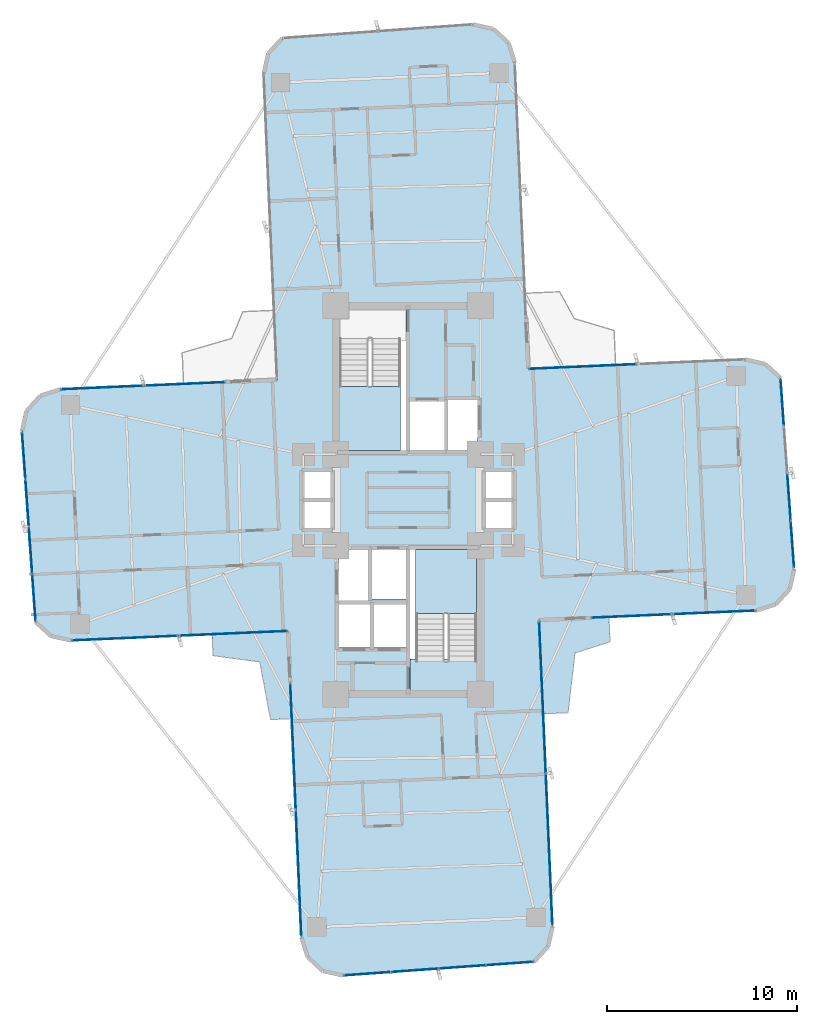
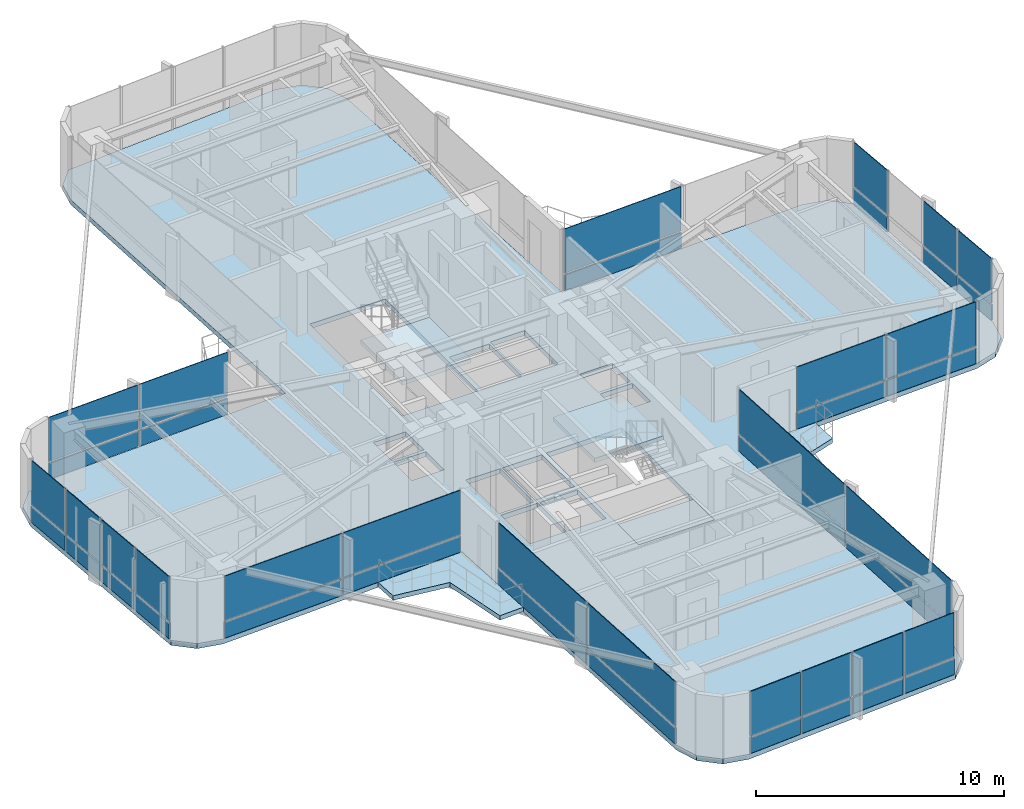
# One storey, part 21 of 26: 44 plates, 6 slabs, 11 elements without a shape of their own.
"""IFC4 building model written with IfcOpenShell, lengths in metres."""

from ifc_helpers import new_model, si_unit, direction, frame, origin, origin_2d, place, context, subcontext, project, spatial, polyline, rectangle, outline, extrude, source, transform, mapped, material, layer, layer_set, type_object, element, aggregate, save


model = new_model("IFC4")

# Units and contexts
model_context = context("Model", 3, precision=1e-05, world=origin(), true_north=direction((0.0, 1.0)))
body_context = subcontext(model_context, "Body", "Model", "MODEL_VIEW")
ifc_project = project(units=[si_unit("LENGTHUNIT", "METRE"), si_unit("AREAUNIT", "SQUARE_METRE"), si_unit("VOLUMEUNIT", "CUBIC_METRE"), si_unit("PLANEANGLEUNIT", "RADIAN"), si_unit("MASSUNIT", "GRAM", prefix="KILO")], contexts=[model_context])

# Site, building, storey
site_placement = place(None, origin())
site = spatial("IfcSite", under=ifc_project, at=site_placement, CompositionType="ELEMENT")
building_placement = place(site_placement, origin())
building = spatial("IfcBuilding", under=site, at=building_placement, Name="Sahyath Konkavel Grand Hotel", CompositionType="ELEMENT")
storey_placement = place(building_placement, frame((0.0, 0.0, 124.85009765625)))
storey = spatial("IfcBuildingStorey", under=building, at=storey_placement, Name="L34", CompositionType="ELEMENT", Elevation=124.85009765625)

# Slabs
ifc_material_1 = material(Name="Concrete C40/50", Category="concrete")
ifc_layer_1 = layer(ifc_material_1, 0.239990234375)
ifc_layer_set_1 = layer_set([ifc_layer_1], Name="Concrete C40/50")
slab_type_1 = type_object("IfcSlabType", Name="SLB-240", PredefinedType="FLOOR", material=ifc_layer_set_1)
slab_1_placement = place(storey_placement, frame((0.0, 0.0, -0.239990234375)))
element("IfcSlab", 1, at=slab_1_placement, inside=storey, type_object=slab_type_1, Name="L34 Structural Floor Slab", PredefinedType="FLOOR", context=body_context, shape_type="SweptSolid", body=[
    extrude(outline(polyline([(6.881591796875, -6.305908203125), (18.270751953125, -5.80859375), (19.3076171875, -5.481689453125), (20.0419921875, -4.68017578125), (20.277099609375, -3.618896484375), (19.5576171875, 6.4091796875), (18.75634765625, 7.1435546875), (17.695068359375, 7.37890625), (6.305908203125, 6.881591796875), (5.603515625, 22.96630859375), (5.276611328125, 24.0029296875), (4.47509765625, 24.7373046875), (3.4140625, 24.97265625), (-6.6142578125, 24.253173828125), (-7.3486328125, 23.451904296875), (-7.583984375, 22.390380859375), (-6.881591796875, 6.305908203125), (-18.270751953125, 5.80859375), (-19.3076171875, 5.481689453125), (-20.0419921875, 4.68017578125), (-20.277099609375, 3.618896484375), (-19.5576171875, -6.4091796875), (-18.75634765625, -7.1435546875), (-17.695068359375, -7.37890625), (-6.305908203125, -6.881591796875), (-5.603515625, -22.96630859375), (-5.276611328125, -24.0029296875), (-4.47509765625, -24.7373046875), (-3.4140625, -24.97265625), (6.6142578125, -24.253173828125), (7.3486328125, -23.451904296875), (7.583984375, -22.390380859375), (6.881591796875, -6.305908203125)]), holes=[polyline([(-3.6201171875, 2.580078125), (-0.10009765625, 2.580078125), (-0.10009765625, 10.02001953125), (-3.6201171875, 10.02001953125), (-3.6201171875, 2.580078125)]), polyline([(0.10009765625, -10.02001953125), (3.6201171875, -10.02001953125), (3.6201171875, -2.580078125), (0.10009765625, -2.580078125), (0.10009765625, -10.02001953125)]), polyline([(0.10009765625, 2.60009765625), (1.949951171875, 2.60009765625), (1.949951171875, 5.199951171875), (0.10009765625, 5.199951171875), (0.10009765625, 2.60009765625)]), polyline([(-1.949951171875, -5.199951171875), (-0.10009765625, -5.199951171875), (-0.10009765625, -2.60009765625), (-1.949951171875, -2.60009765625), (-1.949951171875, -5.199951171875)]), polyline([(2.050048828125, 2.60009765625), (3.64990234375, 2.60009765625), (3.64990234375, 5.300048828125), (2.050048828125, 5.300048828125), (2.050048828125, 2.60009765625)]), polyline([(-3.64990234375, -5.300048828125), (-2.050048828125, -5.300048828125), (-2.050048828125, -2.60009765625), (-3.64990234375, -2.60009765625), (-3.64990234375, -5.300048828125)]), polyline([(-3.64990234375, -7.75), (-1.949951171875, -7.75), (-1.949951171875, -5.449951171875), (-3.64990234375, -5.449951171875), (-3.64990234375, -7.75)]), polyline([(-1.85009765625, -7.75), (-0.10009765625, -7.75), (-0.10009765625, -5.449951171875), (-1.85009765625, -5.449951171875), (-1.85009765625, -7.75)]), polyline([(4.050048828125, 0.080078125), (5.550048828125, 0.080078125), (5.550048828125, 1.5400390625), (4.050048828125, 1.5400390625), (4.050048828125, 0.080078125)]), polyline([(4.050048828125, -1.5400390625), (5.550048828125, -1.5400390625), (5.550048828125, -0.080078125), (4.050048828125, -0.080078125), (4.050048828125, -1.5400390625)]), polyline([(-5.550048828125, 0.080078125), (-4.050048828125, 0.080078125), (-4.050048828125, 1.5400390625), (-5.550048828125, 1.5400390625), (-5.550048828125, 0.080078125)]), polyline([(-5.550048828125, -1.5400390625), (-4.050048828125, -1.5400390625), (-4.050048828125, -0.080078125), (-5.550048828125, -0.080078125), (-5.550048828125, -1.5400390625)])]), origin(), (0.0, 0.0, 1.0), 0.239990234375),
])
ifc_layer_2 = layer(ifc_material_1, 0.219970703125)
ifc_layer_set_2 = layer_set([ifc_layer_2], Name="Concrete C40/50")
slab_type_2 = type_object("IfcSlabType", Name="SLB-BALCONY-220", PredefinedType="FLOOR", material=ifc_layer_set_2)
slab_2_placement = place(storey_placement, frame((0.0, 0.0, -0.22021484375)))
element("IfcSlab", 2, at=slab_2_placement, inside=storey, type_object=slab_type_2, Name="L34 Winter-Garden Balcony SW", PredefinedType="FLOOR", context=body_context, shape_type="SweptSolid", body=[
    extrude(outline(polyline([(-6.305908203125, -6.881591796875), (-10.2939453125, -7.0556640625), (-10.2451171875, -8.175048828125), (-7.79248046875, -8.50390625), (-7.22412109375, -11.5341796875), (-6.104736328125, -11.485107421875), (-6.305908203125, -6.881591796875)])), origin(), (0.0, 0.0, 1.0), 0.22021484375),
])
slab_3_placement = place(storey_placement, frame((0.0, 0.0, -0.22021484375)))
element("IfcSlab", 3, at=slab_3_placement, inside=storey, type_object=slab_type_2, Name="L34 Winter-Garden Balcony SE", PredefinedType="FLOOR", context=body_context, shape_type="SweptSolid", body=[
    extrude(outline(polyline([(6.881591796875, -6.305908203125), (7.0966796875, -11.22998046875), (8.397216796875, -11.17333984375), (8.7666015625, -8.033203125), (10.60595703125, -7.4462890625), (10.549072265625, -6.145751953125), (6.881591796875, -6.305908203125)])), origin(), (0.0, 0.0, 1.0), 0.22021484375),
])

# Stair, slab
stair_type = type_object("IfcStairType", Name="STR-ST16-335", PredefinedType="HALF_TURN_STAIR", material=ifc_material_1)
stair_1_placement = place(storey_placement, origin())
stair_1 = element("IfcStair", 4, at=stair_1_placement, inside=storey, type_object=stair_type, Name="L34 North Core Smokeproof Exit Stair ST-1", PredefinedType="HALF_TURN_STAIR")
ifc_layer_3 = layer(ifc_material_1, 0.199951171875)
ifc_layer_set_3 = layer_set([ifc_layer_3], Name="Concrete C40/50")
slab_type_3 = type_object("IfcSlabType", Name="SLB-STAIR-LND", PredefinedType="LANDING", material=ifc_layer_set_3)
slab_4_placement = place(storey_placement, frame((0.0, 0.0, 1.474853515625)))
slab_4 = element("IfcSlab", 5, at=slab_4_placement, type_object=slab_type_3, Name="ST-1 landing 1", PredefinedType="LANDING", context=body_context, shape_type="SweptSolid", body=[
    extrude(outline(polyline([(-3.60009765625, 5.9599609375), (-3.60009765625, 2.60009765625), (-0.39990234375, 2.60009765625), (-0.39990234375, 5.9599609375), (-3.60009765625, 5.9599609375)])), origin(), (0.0, 0.0, 1.0), 0.199951171875),
])
aggregate(stair_1, [slab_4])

stair_2_placement = place(storey_placement, origin())
stair_2 = element("IfcStair", 6, at=stair_2_placement, inside=storey, type_object=stair_type, Name="L34 South Core Smokeproof Exit Stair ST-2", PredefinedType="HALF_TURN_STAIR")
slab_5_placement = place(storey_placement, frame((0.0, 0.0, 1.474853515625)))
slab_5 = element("IfcSlab", 7, at=slab_5_placement, type_object=slab_type_3, Name="ST-2 landing 1", PredefinedType="LANDING", context=body_context, shape_type="SweptSolid", body=[
    extrude(outline(polyline([(3.60009765625, -5.9599609375), (3.60009765625, -2.60009765625), (0.39990234375, -2.60009765625), (0.39990234375, -5.9599609375), (3.60009765625, -5.9599609375)])), origin(), (0.0, 0.0, 1.0), 0.199951171875),
])
aggregate(stair_2, [slab_5])

# Slab
slab_6_placement = place(storey_placement, frame((0.0, 0.0, -0.2001953125)))
element("IfcSlab", 8, at=slab_6_placement, inside=storey, type_object=slab_type_3, Name="L34 Stair ST-2 Floor Landing Slab", PredefinedType="LANDING", context=body_context, shape_type="SweptSolid", body=[
    extrude(outline(polyline([(0.10009765625, -10.02001953125), (3.6201171875, -10.02001953125), (3.6201171875, -8.35009765625), (0.10009765625, -8.35009765625), (0.10009765625, -10.02001953125)])), origin(), (0.0, 0.0, 1.0), 0.2001953125),
])

# Curtain wall, plates
ifc_material_2 = material(Name="Anodised Bronze Aluminium & Low-E Glazing", Category="aluminium")
curtain_wall_type = type_object("IfcCurtainWallType", Name="CW-ZONE2", PredefinedType="NOTDEFINED", material=ifc_material_2)
curtain_wall_1_placement = place(storey_placement, origin())
curtain_wall_1 = element("IfcCurtainWall", 9, at=curtain_wall_1_placement, inside=storey, type_object=curtain_wall_type, Name="L34 Unitised Curtain Wall F0", PredefinedType="NOTDEFINED")
ifc_material_3 = material(Name="Warm Buff Sandstone Cladding", Category="masonry")
ifc_layer_4 = layer(ifc_material_3, 0.074951171875)
ifc_layer_set_4 = layer_set([ifc_layer_4], Name="Warm Buff Sandstone Cladding")
plate_type_1 = type_object("IfcPlateType", Name="PNL-SPANDREL-STONE", PredefinedType="SHEET", material=ifc_layer_set_4)
shared_shape_1 = source(origin(), body_context, "Body", "SweptSolid", [
    extrude(rectangle(XDim=4.22998046875, YDim=0.074951171875, at=origin_2d()), origin(), (0.0, 0.0, 1.0), 0.77001953125),
])
plate_1_placement = place(storey_placement, frame((11.77197265625, -6.09228515625, 0.039794921875), z_axis=(0.0, 0.0, 1.0), x_axis=(0.999048982732, 0.043601950678, 0.0)))
plate_1 = element("IfcPlate", 10, at=plate_1_placement, type_object=plate_type_1, Name="L34 Sandstone Relief Spandrel Panel F0-0", PredefinedType="SHEET", context=body_context, shape_type="MappedRepresentation", body=[
    mapped(shared_shape_1, transform((0.0, 0.0, 0.0), scale=1.0)),
])
plate_2_placement = place(storey_placement, frame((16.077880859375, -5.904296875, 0.039794921875), z_axis=(0.0, 0.0, 1.0), x_axis=(0.999048982732, 0.043601950678, 0.0)))
plate_2 = element("IfcPlate", 11, at=plate_2_placement, type_object=plate_type_1, Name="L34 Sandstone Relief Spandrel Panel F0-1", PredefinedType="SHEET", context=body_context, shape_type="MappedRepresentation", body=[
    mapped(shared_shape_1, transform((0.0, 0.0, 0.0), scale=1.0)),
])

curtain_wall_2_placement = place(storey_placement, origin())
curtain_wall_2 = element("IfcCurtainWall", 12, at=curtain_wall_2_placement, inside=storey, type_object=curtain_wall_type, Name="L34 Unitised Curtain Wall F16", PredefinedType="NOTDEFINED")
plate_3_placement = place(storey_placement, frame((-11.77197265625, 6.09228515625, 0.039794921875), z_axis=(0.0, 0.0, 1.0), x_axis=(-0.999048982732, -0.043601950678, 0.0)))
plate_3 = element("IfcPlate", 13, at=plate_3_placement, type_object=plate_type_1, Name="L34 Sandstone Relief Spandrel Panel F16-0", PredefinedType="SHEET", context=body_context, shape_type="MappedRepresentation", body=[
    mapped(shared_shape_1, transform((0.0, 0.0, 0.0), scale=1.0)),
])
plate_4_placement = place(storey_placement, frame((-16.077880859375, 5.904296875, 0.039794921875), z_axis=(0.0, 0.0, 1.0), x_axis=(-0.999048982732, -0.043601950678, 0.0)))
plate_4 = element("IfcPlate", 14, at=plate_4_placement, type_object=plate_type_1, Name="L34 Sandstone Relief Spandrel Panel F16-1", PredefinedType="SHEET", context=body_context, shape_type="MappedRepresentation", body=[
    mapped(shared_shape_1, transform((0.0, 0.0, 0.0), scale=1.0)),
])

curtain_wall_3_placement = place(storey_placement, origin())
curtain_wall_3 = element("IfcCurtainWall", 15, at=curtain_wall_3_placement, inside=storey, type_object=curtain_wall_type, Name="L34 Unitised Curtain Wall F4", PredefinedType="NOTDEFINED")
shared_shape_2 = source(origin(), body_context, "Body", "SweptSolid", [
    extrude(rectangle(XDim=2.41357421875, YDim=0.074951171875, at=origin_2d()), origin(), (0.0, 0.0, 1.0), 0.77001953125),
])
plate_5_placement = place(storey_placement, frame((20.18505859375, -2.335693359375, 0.039794921875), z_axis=(0.0, 0.0, 1.0), x_axis=(-0.071567078661, 0.997435789037, 0.0)))
plate_5 = element("IfcPlate", 16, at=plate_5_placement, type_object=plate_type_1, Name="L34 Sandstone Relief Spandrel Panel F4-0", PredefinedType="SHEET", context=body_context, shape_type="MappedRepresentation", body=[
    mapped(shared_shape_2, transform((0.0, 0.0, 0.0), scale=1.0)),
])
plate_6_placement = place(storey_placement, frame((20.006591796875, 0.151611328125, 0.039794921875), z_axis=(0.0, 0.0, 1.0), x_axis=(-0.071567078661, 0.997435789037, 0.0)))
plate_6 = element("IfcPlate", 17, at=plate_6_placement, type_object=plate_type_1, Name="L34 Sandstone Relief Spandrel Panel F4-1", PredefinedType="SHEET", context=body_context, shape_type="MappedRepresentation", body=[
    mapped(shared_shape_2, transform((0.0, 0.0, 0.0), scale=1.0)),
])
plate_7_placement = place(storey_placement, frame((19.64990234375, 5.125732421875, 0.039794921875), z_axis=(0.0, 0.0, 1.0), x_axis=(-0.071567078661, 0.997435789037, 0.0)))
plate_7 = element("IfcPlate", 18, at=plate_7_placement, type_object=plate_type_1, Name="L34 Sandstone Relief Spandrel Panel F4-3", PredefinedType="SHEET", context=body_context, shape_type="MappedRepresentation", body=[
    mapped(shared_shape_2, transform((0.0, 0.0, 0.0), scale=1.0)),
])

curtain_wall_4_placement = place(storey_placement, origin())
curtain_wall_4 = element("IfcCurtainWall", 19, at=curtain_wall_4_placement, inside=storey, type_object=curtain_wall_type, Name="L34 Unitised Curtain Wall F20", PredefinedType="NOTDEFINED")
plate_8_placement = place(storey_placement, frame((-20.18505859375, 2.335693359375, 0.039794921875), z_axis=(0.0, 0.0, 1.0), x_axis=(0.071567078661, -0.997435789037, 0.0)))
plate_8 = element("IfcPlate", 20, at=plate_8_placement, type_object=plate_type_1, Name="L34 Sandstone Relief Spandrel Panel F20-0", PredefinedType="SHEET", context=body_context, shape_type="MappedRepresentation", body=[
    mapped(shared_shape_2, transform((0.0, 0.0, 0.0), scale=1.0)),
])
plate_9_placement = place(storey_placement, frame((-20.006591796875, -0.151611328125, 0.039794921875), z_axis=(0.0, 0.0, 1.0), x_axis=(0.071567078661, -0.997435789037, 0.0)))
plate_9 = element("IfcPlate", 21, at=plate_9_placement, type_object=plate_type_1, Name="L34 Sandstone Relief Spandrel Panel F20-1", PredefinedType="SHEET", context=body_context, shape_type="MappedRepresentation", body=[
    mapped(shared_shape_2, transform((0.0, 0.0, 0.0), scale=1.0)),
])
plate_10_placement = place(storey_placement, frame((-19.828369140625, -2.638671875, 0.039794921875), z_axis=(0.0, 0.0, 1.0), x_axis=(0.071567078661, -0.997435789037, 0.0)))
plate_10 = element("IfcPlate", 22, at=plate_10_placement, type_object=plate_type_1, Name="L34 Sandstone Relief Spandrel Panel F20-2", PredefinedType="SHEET", context=body_context, shape_type="MappedRepresentation", body=[
    mapped(shared_shape_2, transform((0.0, 0.0, 0.0), scale=1.0)),
])
plate_11_placement = place(storey_placement, frame((-19.64990234375, -5.125732421875, 0.039794921875), z_axis=(0.0, 0.0, 1.0), x_axis=(0.071567078661, -0.997435789037, 0.0)))
plate_11 = element("IfcPlate", 23, at=plate_11_placement, type_object=plate_type_1, Name="L34 Sandstone Relief Spandrel Panel F20-3", PredefinedType="SHEET", context=body_context, shape_type="MappedRepresentation", body=[
    mapped(shared_shape_2, transform((0.0, 0.0, 0.0), scale=1.0)),
])

curtain_wall_5_placement = place(storey_placement, origin())
curtain_wall_5 = element("IfcCurtainWall", 24, at=curtain_wall_5_placement, inside=storey, type_object=curtain_wall_type, Name="L34 Unitised Curtain Wall F28", PredefinedType="NOTDEFINED")
plate_12_placement = place(storey_placement, frame((-2.130615234375, -24.880615234375, 0.039794921875), z_axis=(0.0, 0.0, 1.0), x_axis=(0.997435789037, 0.071567078661, 0.0)))
plate_12 = element("IfcPlate", 25, at=plate_12_placement, type_object=plate_type_1, Name="L34 Sandstone Relief Spandrel Panel F28-0", PredefinedType="SHEET", context=body_context, shape_type="MappedRepresentation", body=[
    mapped(shared_shape_2, transform((0.0, 0.0, 0.0), scale=1.0)),
])
plate_13_placement = place(storey_placement, frame((0.356689453125, -24.7021484375, 0.039794921875), z_axis=(0.0, 0.0, 1.0), x_axis=(0.997435789037, 0.071567078661, 0.0)))
plate_13 = element("IfcPlate", 26, at=plate_13_placement, type_object=plate_type_1, Name="L34 Sandstone Relief Spandrel Panel F28-1", PredefinedType="SHEET", context=body_context, shape_type="MappedRepresentation", body=[
    mapped(shared_shape_2, transform((0.0, 0.0, 0.0), scale=1.0)),
])
plate_14_placement = place(storey_placement, frame((2.84375, -24.523681640625, 0.039794921875), z_axis=(0.0, 0.0, 1.0), x_axis=(0.997435789037, 0.071567078661, 0.0)))
plate_14 = element("IfcPlate", 27, at=plate_14_placement, type_object=plate_type_1, Name="L34 Sandstone Relief Spandrel Panel F28-2", PredefinedType="SHEET", context=body_context, shape_type="MappedRepresentation", body=[
    mapped(shared_shape_2, transform((0.0, 0.0, 0.0), scale=1.0)),
])
plate_15_placement = place(storey_placement, frame((5.330810546875, -24.34521484375, 0.039794921875), z_axis=(0.0, 0.0, 1.0), x_axis=(0.997435789037, 0.071567078661, 0.0)))
plate_15 = element("IfcPlate", 28, at=plate_15_placement, type_object=plate_type_1, Name="L34 Sandstone Relief Spandrel Panel F28-3", PredefinedType="SHEET", context=body_context, shape_type="MappedRepresentation", body=[
    mapped(shared_shape_2, transform((0.0, 0.0, 0.0), scale=1.0)),
])

# Curtain wall, plate
curtain_wall_6_placement = place(storey_placement, origin())
curtain_wall_6 = element("IfcCurtainWall", 29, at=curtain_wall_6_placement, inside=storey, type_object=curtain_wall_type, Name="L34 Unitised Curtain Wall F7", PredefinedType="NOTDEFINED")
shared_shape_3 = source(origin(), body_context, "Body", "SweptSolid", [
    extrude(rectangle(XDim=5.580078125, YDim=0.074951171875, at=origin_2d()), origin(), (0.0, 0.0, 1.0), 0.77001953125),
])
plate_16_placement = place(storey_placement, frame((9.173095703125, 7.0068359375, 0.039794921875), z_axis=(0.0, 0.0, 1.0), x_axis=(-0.999048221582, -0.043619387365, 0.0)))
plate_16 = element("IfcPlate", 30, at=plate_16_placement, type_object=plate_type_1, Name="L34 Sandstone Relief Spandrel Panel F7-1", PredefinedType="SHEET", context=body_context, shape_type="MappedRepresentation", body=[
    mapped(shared_shape_3, transform((0.0, 0.0, 0.0), scale=1.0)),
])

# Curtain wall, plates
curtain_wall_7_placement = place(storey_placement, origin())
curtain_wall_7 = element("IfcCurtainWall", 31, at=curtain_wall_7_placement, inside=storey, type_object=curtain_wall_type, Name="L34 Unitised Curtain Wall F23", PredefinedType="NOTDEFINED")
plate_17_placement = place(storey_placement, frame((-14.82763671875, -7.25390625, 0.039794921875), z_axis=(0.0, 0.0, 1.0), x_axis=(0.999048221582, 0.043619387365, 0.0)))
plate_17 = element("IfcPlate", 32, at=plate_17_placement, type_object=plate_type_1, Name="L34 Sandstone Relief Spandrel Panel F23-0", PredefinedType="SHEET", context=body_context, shape_type="MappedRepresentation", body=[
    mapped(shared_shape_3, transform((0.0, 0.0, 0.0), scale=1.0)),
])
plate_18_placement = place(storey_placement, frame((-9.173095703125, -7.0068359375, 0.039794921875), z_axis=(0.0, 0.0, 1.0), x_axis=(0.999048221582, 0.043619387365, 0.0)))
plate_18 = element("IfcPlate", 33, at=plate_18_placement, type_object=plate_type_1, Name="L34 Sandstone Relief Spandrel Panel F23-1", PredefinedType="SHEET", context=body_context, shape_type="MappedRepresentation", body=[
    mapped(shared_shape_3, transform((0.0, 0.0, 0.0), scale=1.0)),
])

curtain_wall_8_placement = place(storey_placement, origin())
curtain_wall_8 = element("IfcCurtainWall", 34, at=curtain_wall_8_placement, inside=storey, type_object=curtain_wall_type, Name="L34 Unitised Curtain Wall F24", PredefinedType="NOTDEFINED")
shared_shape_4 = source(origin(), body_context, "Body", "SweptSolid", [
    extrude(rectangle(XDim=6.580078125, YDim=0.074951171875, at=origin_2d()), origin(), (0.0, 0.0, 1.0), 0.77001953125),
])
plate_19_placement = place(storey_placement, frame((-6.041015625, -12.94580078125, 0.039794921875), z_axis=(0.0, 0.0, 1.0), x_axis=(0.043619387365, -0.999048221582, 0.0)))
plate_19 = element("IfcPlate", 35, at=plate_19_placement, type_object=plate_type_1, Name="L34 Sandstone Relief Spandrel Panel F24-0", PredefinedType="SHEET", context=body_context, shape_type="MappedRepresentation", body=[
    mapped(shared_shape_4, transform((0.0, 0.0, 0.0), scale=1.0)),
])
plate_20_placement = place(storey_placement, frame((-5.75048828125, -19.599609375, 0.039794921875), z_axis=(0.0, 0.0, 1.0), x_axis=(0.043619387365, -0.999048221582, 0.0)))
plate_20 = element("IfcPlate", 36, at=plate_20_placement, type_object=plate_type_1, Name="L34 Sandstone Relief Spandrel Panel F24-1", PredefinedType="SHEET", context=body_context, shape_type="MappedRepresentation", body=[
    mapped(shared_shape_4, transform((0.0, 0.0, 0.0), scale=1.0)),
])

curtain_wall_9_placement = place(storey_placement, origin())
curtain_wall_9 = element("IfcCurtainWall", 37, at=curtain_wall_9_placement, inside=storey, type_object=curtain_wall_type, Name="L34 Unitised Curtain Wall F31", PredefinedType="NOTDEFINED")
shared_shape_5 = source(origin(), body_context, "Body", "SweptSolid", [
    extrude(rectangle(XDim=7.929931640625, YDim=0.074951171875, at=origin_2d()), origin(), (0.0, 0.0, 1.0), 0.77001953125),
])
plate_21_placement = place(storey_placement, frame((7.407470703125, -18.349365234375, 0.039794921875), z_axis=(0.0, 0.0, 1.0), x_axis=(-0.043619387365, 0.999048221582, 0.0)))
plate_21 = element("IfcPlate", 38, at=plate_21_placement, type_object=plate_type_1, Name="L34 Sandstone Relief Spandrel Panel F31-0", PredefinedType="SHEET", context=body_context, shape_type="MappedRepresentation", body=[
    mapped(shared_shape_5, transform((0.0, 0.0, 0.0), scale=1.0)),
])
plate_22_placement = place(storey_placement, frame((7.05810546875, -10.346923828125, 0.039794921875), z_axis=(0.0, 0.0, 1.0), x_axis=(-0.043619387365, 0.999048221582, 0.0)))
plate_22 = element("IfcPlate", 39, at=plate_22_placement, type_object=plate_type_1, Name="L34 Sandstone Relief Spandrel Panel F31-1", PredefinedType="SHEET", context=body_context, shape_type="MappedRepresentation", body=[
    mapped(shared_shape_5, transform((0.0, 0.0, 0.0), scale=1.0)),
])

# Plate
ifc_material_4 = material(Name="Low-E Solar Control Double Glazing", Category="glass")
ifc_layer_5 = layer(ifc_material_4, 0.035888671875)
ifc_layer_set_5 = layer_set([ifc_layer_5], Name="Low-E Solar Control Double Glazing")
plate_type_2 = type_object("IfcPlateType", Name="PNL-VISION-LOWE", PredefinedType="CURTAIN_PANEL", material=ifc_layer_set_5)
shared_shape_6 = source(origin(), body_context, "Body", "SweptSolid", [
    extrude(rectangle(XDim=4.22998046875, YDim=0.035888671875, at=origin_2d()), origin(), (0.0, 0.0, 1.0), 2.179931640625),
])
plate_23_placement = place(storey_placement, frame((11.77197265625, -6.09228515625, 0.89013671875), z_axis=(0.0, 0.0, 1.0), x_axis=(0.999048982732, 0.043601950678, 0.0)))
plate_23 = element("IfcPlate", 40, at=plate_23_placement, type_object=plate_type_2, Name="L34 Low-E Vision Glazing Panel F0-0", PredefinedType="CURTAIN_PANEL", context=body_context, shape_type="MappedRepresentation", body=[
    mapped(shared_shape_6, transform((0.0, 0.0, 0.0), scale=1.0)),
])

plate_24_placement = place(storey_placement, frame((16.077880859375, -5.904296875, 0.89013671875), z_axis=(0.0, 0.0, 1.0), x_axis=(0.999048982732, 0.043601950678, 0.0)))
plate_24 = element("IfcPlate", 41, at=plate_24_placement, type_object=plate_type_2, Name="L34 Low-E Vision Glazing Panel F0-1", PredefinedType="CURTAIN_PANEL", context=body_context, shape_type="MappedRepresentation", body=[
    mapped(shared_shape_6, transform((0.0, 0.0, 0.0), scale=1.0)),
])

aggregate(curtain_wall_1, [plate_1, plate_23, plate_2, plate_24])

plate_25_placement = place(storey_placement, frame((-11.77197265625, 6.09228515625, 0.89013671875), z_axis=(0.0, 0.0, 1.0), x_axis=(-0.999048982732, -0.043601950678, 0.0)))
plate_25 = element("IfcPlate", 42, at=plate_25_placement, type_object=plate_type_2, Name="L34 Low-E Vision Glazing Panel F16-0", PredefinedType="CURTAIN_PANEL", context=body_context, shape_type="MappedRepresentation", body=[
    mapped(shared_shape_6, transform((0.0, 0.0, 0.0), scale=1.0)),
])

plate_26_placement = place(storey_placement, frame((-16.077880859375, 5.904296875, 0.89013671875), z_axis=(0.0, 0.0, 1.0), x_axis=(-0.999048982732, -0.043601950678, 0.0)))
plate_26 = element("IfcPlate", 43, at=plate_26_placement, type_object=plate_type_2, Name="L34 Low-E Vision Glazing Panel F16-1", PredefinedType="CURTAIN_PANEL", context=body_context, shape_type="MappedRepresentation", body=[
    mapped(shared_shape_6, transform((0.0, 0.0, 0.0), scale=1.0)),
])

aggregate(curtain_wall_2, [plate_3, plate_25, plate_4, plate_26])

shared_shape_7 = source(origin(), body_context, "Body", "SweptSolid", [
    extrude(rectangle(XDim=2.41357421875, YDim=0.035888671875, at=origin_2d()), origin(), (0.0, 0.0, 1.0), 2.179931640625),
])
plate_27_placement = place(storey_placement, frame((20.18505859375, -2.335693359375, 0.89013671875), z_axis=(0.0, 0.0, 1.0), x_axis=(-0.071567078661, 0.997435789037, 0.0)))
plate_27 = element("IfcPlate", 44, at=plate_27_placement, type_object=plate_type_2, Name="L34 Low-E Vision Glazing Panel F4-0", PredefinedType="CURTAIN_PANEL", context=body_context, shape_type="MappedRepresentation", body=[
    mapped(shared_shape_7, transform((0.0, 0.0, 0.0), scale=1.0)),
])

plate_28_placement = place(storey_placement, frame((20.006591796875, 0.151611328125, 0.89013671875), z_axis=(0.0, 0.0, 1.0), x_axis=(-0.071567078661, 0.997435789037, 0.0)))
plate_28 = element("IfcPlate", 45, at=plate_28_placement, type_object=plate_type_2, Name="L34 Low-E Vision Glazing Panel F4-1", PredefinedType="CURTAIN_PANEL", context=body_context, shape_type="MappedRepresentation", body=[
    mapped(shared_shape_7, transform((0.0, 0.0, 0.0), scale=1.0)),
])

plate_29_placement = place(storey_placement, frame((19.64990234375, 5.125732421875, 0.89013671875), z_axis=(0.0, 0.0, 1.0), x_axis=(-0.071567078661, 0.997435789037, 0.0)))
plate_29 = element("IfcPlate", 46, at=plate_29_placement, type_object=plate_type_2, Name="L34 Low-E Vision Glazing Panel F4-3", PredefinedType="CURTAIN_PANEL", context=body_context, shape_type="MappedRepresentation", body=[
    mapped(shared_shape_7, transform((0.0, 0.0, 0.0), scale=1.0)),
])

aggregate(curtain_wall_3, [plate_5, plate_27, plate_6, plate_28, plate_7, plate_29])

plate_30_placement = place(storey_placement, frame((-20.18505859375, 2.335693359375, 0.89013671875), z_axis=(0.0, 0.0, 1.0), x_axis=(0.071567078661, -0.997435789037, 0.0)))
plate_30 = element("IfcPlate", 47, at=plate_30_placement, type_object=plate_type_2, Name="L34 Low-E Vision Glazing Panel F20-0", PredefinedType="CURTAIN_PANEL", context=body_context, shape_type="MappedRepresentation", body=[
    mapped(shared_shape_7, transform((0.0, 0.0, 0.0), scale=1.0)),
])

plate_31_placement = place(storey_placement, frame((-20.006591796875, -0.151611328125, 0.89013671875), z_axis=(0.0, 0.0, 1.0), x_axis=(0.071567078661, -0.997435789037, 0.0)))
plate_31 = element("IfcPlate", 48, at=plate_31_placement, type_object=plate_type_2, Name="L34 Low-E Vision Glazing Panel F20-1", PredefinedType="CURTAIN_PANEL", context=body_context, shape_type="MappedRepresentation", body=[
    mapped(shared_shape_7, transform((0.0, 0.0, 0.0), scale=1.0)),
])

plate_32_placement = place(storey_placement, frame((-19.828369140625, -2.638671875, 0.89013671875), z_axis=(0.0, 0.0, 1.0), x_axis=(0.071567078661, -0.997435789037, 0.0)))
plate_32 = element("IfcPlate", 49, at=plate_32_placement, type_object=plate_type_2, Name="L34 Low-E Vision Glazing Panel F20-2", PredefinedType="CURTAIN_PANEL", context=body_context, shape_type="MappedRepresentation", body=[
    mapped(shared_shape_7, transform((0.0, 0.0, 0.0), scale=1.0)),
])

plate_33_placement = place(storey_placement, frame((-19.64990234375, -5.125732421875, 0.89013671875), z_axis=(0.0, 0.0, 1.0), x_axis=(0.071567078661, -0.997435789037, 0.0)))
plate_33 = element("IfcPlate", 50, at=plate_33_placement, type_object=plate_type_2, Name="L34 Low-E Vision Glazing Panel F20-3", PredefinedType="CURTAIN_PANEL", context=body_context, shape_type="MappedRepresentation", body=[
    mapped(shared_shape_7, transform((0.0, 0.0, 0.0), scale=1.0)),
])

aggregate(curtain_wall_4, [plate_8, plate_30, plate_9, plate_31, plate_10, plate_32, plate_11, plate_33])

plate_34_placement = place(storey_placement, frame((-2.130615234375, -24.880615234375, 0.89013671875), z_axis=(0.0, 0.0, 1.0), x_axis=(0.997435789037, 0.071567078661, 0.0)))
plate_34 = element("IfcPlate", 51, at=plate_34_placement, type_object=plate_type_2, Name="L34 Low-E Vision Glazing Panel F28-0", PredefinedType="CURTAIN_PANEL", context=body_context, shape_type="MappedRepresentation", body=[
    mapped(shared_shape_7, transform((0.0, 0.0, 0.0), scale=1.0)),
])

plate_35_placement = place(storey_placement, frame((0.356689453125, -24.7021484375, 0.89013671875), z_axis=(0.0, 0.0, 1.0), x_axis=(0.997435789037, 0.071567078661, 0.0)))
plate_35 = element("IfcPlate", 52, at=plate_35_placement, type_object=plate_type_2, Name="L34 Low-E Vision Glazing Panel F28-1", PredefinedType="CURTAIN_PANEL", context=body_context, shape_type="MappedRepresentation", body=[
    mapped(shared_shape_7, transform((0.0, 0.0, 0.0), scale=1.0)),
])

plate_36_placement = place(storey_placement, frame((2.84375, -24.523681640625, 0.89013671875), z_axis=(0.0, 0.0, 1.0), x_axis=(0.997435789037, 0.071567078661, 0.0)))
plate_36 = element("IfcPlate", 53, at=plate_36_placement, type_object=plate_type_2, Name="L34 Low-E Vision Glazing Panel F28-2", PredefinedType="CURTAIN_PANEL", context=body_context, shape_type="MappedRepresentation", body=[
    mapped(shared_shape_7, transform((0.0, 0.0, 0.0), scale=1.0)),
])

plate_37_placement = place(storey_placement, frame((5.330810546875, -24.34521484375, 0.89013671875), z_axis=(0.0, 0.0, 1.0), x_axis=(0.997435789037, 0.071567078661, 0.0)))
plate_37 = element("IfcPlate", 54, at=plate_37_placement, type_object=plate_type_2, Name="L34 Low-E Vision Glazing Panel F28-3", PredefinedType="CURTAIN_PANEL", context=body_context, shape_type="MappedRepresentation", body=[
    mapped(shared_shape_7, transform((0.0, 0.0, 0.0), scale=1.0)),
])

aggregate(curtain_wall_5, [plate_12, plate_34, plate_13, plate_35, plate_14, plate_36, plate_15, plate_37])

shared_shape_8 = source(origin(), body_context, "Body", "SweptSolid", [
    extrude(rectangle(XDim=5.580078125, YDim=0.035888671875, at=origin_2d()), origin(), (0.0, 0.0, 1.0), 2.179931640625),
])
plate_38_placement = place(storey_placement, frame((9.173095703125, 7.0068359375, 0.89013671875), z_axis=(0.0, 0.0, 1.0), x_axis=(-0.999048221582, -0.043619387365, 0.0)))
plate_38 = element("IfcPlate", 55, at=plate_38_placement, type_object=plate_type_2, Name="L34 Low-E Vision Glazing Panel F7-1", PredefinedType="CURTAIN_PANEL", context=body_context, shape_type="MappedRepresentation", body=[
    mapped(shared_shape_8, transform((0.0, 0.0, 0.0), scale=1.0)),
])

aggregate(curtain_wall_6, [plate_16, plate_38])

plate_39_placement = place(storey_placement, frame((-14.82763671875, -7.25390625, 0.89013671875), z_axis=(0.0, 0.0, 1.0), x_axis=(0.999048221582, 0.043619387365, 0.0)))
plate_39 = element("IfcPlate", 56, at=plate_39_placement, type_object=plate_type_2, Name="L34 Low-E Vision Glazing Panel F23-0", PredefinedType="CURTAIN_PANEL", context=body_context, shape_type="MappedRepresentation", body=[
    mapped(shared_shape_8, transform((0.0, 0.0, 0.0), scale=1.0)),
])

plate_40_placement = place(storey_placement, frame((-9.173095703125, -7.0068359375, 0.89013671875), z_axis=(0.0, 0.0, 1.0), x_axis=(0.999048221582, 0.043619387365, 0.0)))
plate_40 = element("IfcPlate", 57, at=plate_40_placement, type_object=plate_type_2, Name="L34 Low-E Vision Glazing Panel F23-1", PredefinedType="CURTAIN_PANEL", context=body_context, shape_type="MappedRepresentation", body=[
    mapped(shared_shape_8, transform((0.0, 0.0, 0.0), scale=1.0)),
])

aggregate(curtain_wall_7, [plate_17, plate_39, plate_18, plate_40])

shared_shape_9 = source(origin(), body_context, "Body", "SweptSolid", [
    extrude(rectangle(XDim=6.580078125, YDim=0.035888671875, at=origin_2d()), origin(), (0.0, 0.0, 1.0), 2.179931640625),
])
plate_41_placement = place(storey_placement, frame((-6.041015625, -12.94580078125, 0.89013671875), z_axis=(0.0, 0.0, 1.0), x_axis=(0.043619387365, -0.999048221582, 0.0)))
plate_41 = element("IfcPlate", 58, at=plate_41_placement, type_object=plate_type_2, Name="L34 Low-E Vision Glazing Panel F24-0", PredefinedType="CURTAIN_PANEL", context=body_context, shape_type="MappedRepresentation", body=[
    mapped(shared_shape_9, transform((0.0, 0.0, 0.0), scale=1.0)),
])

plate_42_placement = place(storey_placement, frame((-5.75048828125, -19.599609375, 0.89013671875), z_axis=(0.0, 0.0, 1.0), x_axis=(0.043619387365, -0.999048221582, 0.0)))
plate_42 = element("IfcPlate", 59, at=plate_42_placement, type_object=plate_type_2, Name="L34 Low-E Vision Glazing Panel F24-1", PredefinedType="CURTAIN_PANEL", context=body_context, shape_type="MappedRepresentation", body=[
    mapped(shared_shape_9, transform((0.0, 0.0, 0.0), scale=1.0)),
])

aggregate(curtain_wall_8, [plate_19, plate_41, plate_20, plate_42])

shared_shape_10 = source(origin(), body_context, "Body", "SweptSolid", [
    extrude(rectangle(XDim=7.929931640625, YDim=0.035888671875, at=origin_2d()), origin(), (0.0, 0.0, 1.0), 2.179931640625),
])
plate_43_placement = place(storey_placement, frame((7.407470703125, -18.349365234375, 0.89013671875), z_axis=(0.0, 0.0, 1.0), x_axis=(-0.043619387365, 0.999048221582, 0.0)))
plate_43 = element("IfcPlate", 60, at=plate_43_placement, type_object=plate_type_2, Name="L34 Low-E Vision Glazing Panel F31-0", PredefinedType="CURTAIN_PANEL", context=body_context, shape_type="MappedRepresentation", body=[
    mapped(shared_shape_10, transform((0.0, 0.0, 0.0), scale=1.0)),
])

plate_44_placement = place(storey_placement, frame((7.05810546875, -10.346923828125, 0.89013671875), z_axis=(0.0, 0.0, 1.0), x_axis=(-0.043619387365, 0.999048221582, 0.0)))
plate_44 = element("IfcPlate", 61, at=plate_44_placement, type_object=plate_type_2, Name="L34 Low-E Vision Glazing Panel F31-1", PredefinedType="CURTAIN_PANEL", context=body_context, shape_type="MappedRepresentation", body=[
    mapped(shared_shape_10, transform((0.0, 0.0, 0.0), scale=1.0)),
])

aggregate(curtain_wall_9, [plate_21, plate_43, plate_22, plate_44])

save(model, "model.ifc")
